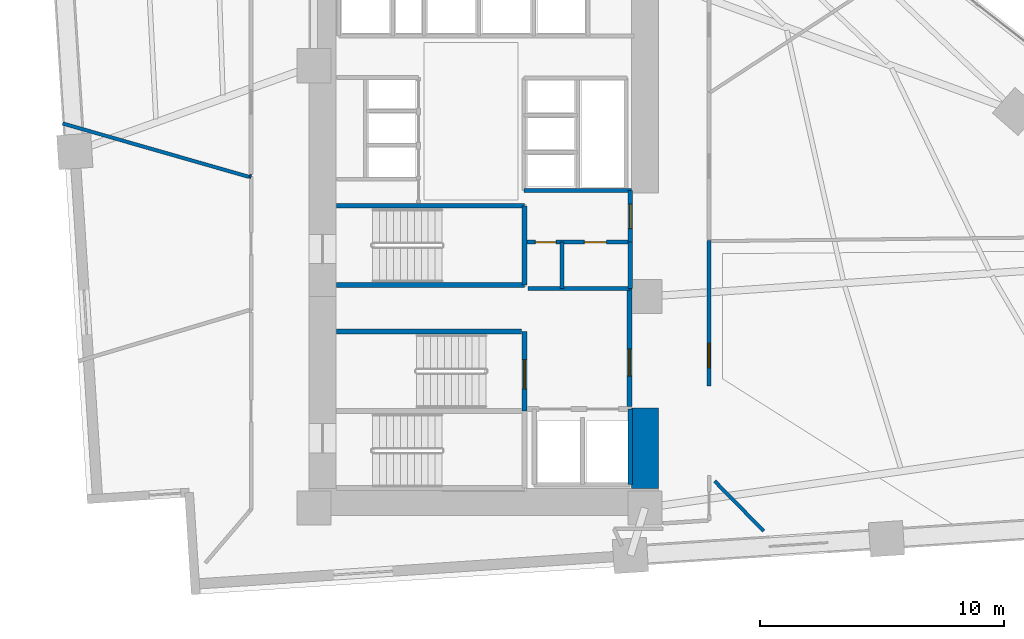
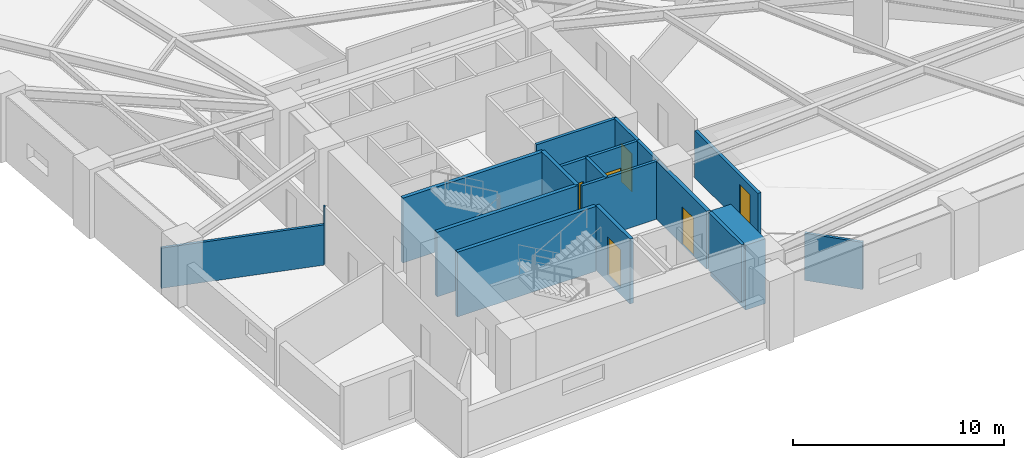
# One storey, part 13 of 17: 18 walls, 6 doors, 6 openings.
"""IFC4 building model written with IfcOpenShell, lengths in metres."""

from ifc_helpers import new_model, si_unit, direction, frame, frame_2d, origin, place, context, subcontext, project, spatial, rectangle, extrude, material, layer, layer_set, type_object, element, fill, save


model = new_model("IFC4")

# Units and contexts
model_context = context("Model", 3, precision=1e-05, world=origin(), true_north=direction((0.0, 1.0)))
body_context = subcontext(model_context, "Body", "Model", "MODEL_VIEW")
ifc_project = project(units=[si_unit("LENGTHUNIT", "METRE"), si_unit("AREAUNIT", "SQUARE_METRE"), si_unit("VOLUMEUNIT", "CUBIC_METRE"), si_unit("PLANEANGLEUNIT", "RADIAN"), si_unit("MASSUNIT", "GRAM", prefix="KILO")], contexts=[model_context])

# Site, building, storey
site_placement = place(None, origin())
site = spatial("IfcSite", under=ifc_project, at=site_placement, CompositionType="ELEMENT")
building_placement = place(site_placement, origin())
building = spatial("IfcBuilding", under=site, at=building_placement, Name="Narakoshi Arena Tower", CompositionType="ELEMENT")
storey_placement = place(building_placement, frame((0.0, 0.0, 63.300048828125)))
storey = spatial("IfcBuildingStorey", under=building, at=storey_placement, Name="L16", CompositionType="ELEMENT", Elevation=63.300048828125)

# Wall
ifc_material_1 = material(Name="Concrete C60/75", Category="concrete")
ifc_layer_1 = layer(ifc_material_1, 1.10009765625)
ifc_layer_set_1 = layer_set([ifc_layer_1], Name="Concrete C60/75")
wall_type_1 = type_object("IfcWallType", Name="WL-CORE-1100", PredefinedType="SHEAR", material=ifc_layer_set_1)
wall_1_placement = place(storey_placement, frame((85.550048828125, 35.5, -0.400146484375), z_axis=(0.0, 0.0, 1.0), x_axis=(0.0, 1.0, 0.0)))
element("IfcWall", 1, at=wall_1_placement, inside=storey, type_object=wall_type_1, Name="L16 Central Core Shear Wall CW-APX-E", PredefinedType="SHEAR", context=body_context, shape_type="SweptSolid", body=[
    extrude(rectangle(XDim=3.300048828125, YDim=1.10009765625, at=frame_2d((1.64990234375, 0.0))), origin(), (0.0, 0.0, 1.0), 3.739990234375),
])

# Wall, opening, door
ifc_material_2 = material(Name="Gypsum plasterboard fire-rated partition")
ifc_layer_2 = layer(ifc_material_2, 0.1650390625)
ifc_layer_set_2 = layer_set([ifc_layer_2], Name="Gypsum plasterboard fire-rated partition")
wall_type_2 = type_object("IfcWallType", Name="WL-CORR-165", PredefinedType="PARTITIONING", material=ifc_layer_set_2)
wall_2_placement = place(storey_placement, frame((84.949951171875, 45.580078125, 0.0), z_axis=(0.0, 0.0, 1.0), x_axis=(0.0, 1.0, 0.0)))
wall_2 = element("IfcWall", 2, at=wall_2_placement, inside=storey, type_object=wall_type_2, Name="L16 Core Wall CPAS-E", PredefinedType="PARTITIONING", context=body_context, shape_type="SweptSolid", body=[
    extrude(rectangle(XDim=2.119873046875, YDim=0.1650390625, at=frame_2d((1.06005859375, 0.0))), origin(), (0.0, 0.0, 1.0), 3.33984375),
])
opening_1_placement = place(wall_2_placement, frame((0.56005859375, 0.0, 0.0)))
opening_1 = element("IfcOpeningElement", 3, at=opening_1_placement, cuts=wall_2, Name="Opening D-06", PredefinedType="OPENING", context=body_context, shape_type="SweptSolid", body=[
    extrude(rectangle(XDim=1.0, YDim=2.199951171875, at=frame_2d((0.5, 1.10009765625))), frame((0.0, 0.092529296875, 0.0), z_axis=(0.0, -1.0, 0.0), x_axis=(1.0, 0.0, 0.0)), (0.0, 0.0, 1.0), 0.18505859375),
])
ifc_material_3 = material(Name="Stained oak solid-core timber", Category="wood")
door_type_1 = type_object("IfcDoorType", Name="DR-OFF-1000", OperationType="NOTDEFINED", PredefinedType="DOOR", material=ifc_material_3)
door_1_placement = place(opening_1_placement, frame((1.0, 0.0, 0.0), z_axis=(0.0, 0.0, 1.0), x_axis=(-1.0, 0.0, 0.0)))
door_1 = element("IfcDoor", 4, at=door_1_placement, inside=storey, type_object=door_type_1, Name="DR-L16-007", OperationType="SINGLE_SWING_LEFT", OverallHeight=2.199951171875, OverallWidth=1.0, PredefinedType="DOOR", context=body_context, shape_type="SweptSolid", body=[
    extrude(rectangle(XDim=1.0, YDim=2.199951171875, at=frame_2d((0.5, 1.10009765625))), frame((0.0, 0.02490234375, 0.0), z_axis=(0.0, -1.0, 0.0), x_axis=(1.0, 0.0, 0.0)), (0.0, 0.0, 1.0), 0.050048828125),
])
fill(opening_1, door_1)

wall_3_placement = place(storey_placement, frame((88.177978515625, 39.6845703125, 0.0), z_axis=(0.0, 0.0, 1.0), x_axis=(0.0, 1.0, 0.0)))
wall_3 = element("IfcWall", 5, at=wall_3_placement, inside=storey, type_object=wall_type_2, Name="L16 Corridor Partition 04-1", PredefinedType="PARTITIONING", context=body_context, shape_type="SweptSolid", body=[
    extrude(rectangle(XDim=5.97265625, YDim=0.1650390625, at=frame_2d((2.986328125, 0.0))), origin(), (0.0, 0.0, 1.0), 2.724853515625),
])
opening_2_placement = place(wall_3_placement, frame((0.748779296875, 0.0, 0.0)))
opening_2 = element("IfcOpeningElement", 6, at=opening_2_placement, cuts=wall_3, Name="Opening D-06", PredefinedType="OPENING", context=body_context, shape_type="SweptSolid", body=[
    extrude(rectangle(XDim=1.0, YDim=2.199951171875, at=frame_2d((0.5, 1.10009765625))), frame((0.0, 0.092529296875, 0.0), z_axis=(0.0, -1.0, 0.0), x_axis=(1.0, 0.0, 0.0)), (0.0, 0.0, 1.0), 0.18505859375),
])
door_2_placement = place(opening_2_placement, frame((1.0, 0.0, 0.0), z_axis=(0.0, 0.0, 1.0), x_axis=(-1.0, 0.0, 0.0)))
door_2 = element("IfcDoor", 7, at=door_2_placement, inside=storey, type_object=door_type_1, Name="DR-L16-017", OperationType="SINGLE_SWING_LEFT", OverallHeight=2.199951171875, OverallWidth=1.0, PredefinedType="DOOR", context=body_context, shape_type="SweptSolid", body=[
    extrude(rectangle(XDim=1.0, YDim=2.199951171875, at=frame_2d((0.5, 1.10009765625))), frame((0.0, 0.02490234375, 0.0), z_axis=(0.0, -1.0, 0.0), x_axis=(1.0, 0.0, 0.0)), (0.0, 0.0, 1.0), 0.050048828125),
])
fill(opening_2, door_2)

# Wall
ifc_material_4 = material(Name="Concrete C40/50", Category="concrete")
ifc_layer_3 = layer(ifc_material_4, 0.280029296875)
ifc_layer_set_3 = layer_set([ifc_layer_3], Name="Concrete C40/50")
wall_type_3 = type_object("IfcWallType", Name="WL-RISER-280", PredefinedType="PLUMBINGWALL", material=ifc_layer_set_3)
wall_4_placement = place(storey_placement, frame((84.949951171875, 43.679931640625, 0.0), z_axis=(0.0, 0.0, 1.0), x_axis=(0.0, 1.0, 0.0)))
element("IfcWall", 8, at=wall_4_placement, inside=storey, type_object=wall_type_3, Name="L16 Core Wall RSR-E", PredefinedType="PLUMBINGWALL", context=body_context, shape_type="SweptSolid", body=[
    extrude(rectangle(XDim=1.900146484375, YDim=0.1650390625, at=frame_2d((0.9501953125, 0.0))), origin(), (0.0, 0.0, 1.0), 3.33984375),
])

# Wall, openings, doors
wall_5_placement = place(storey_placement, frame((80.719970703125, 45.580078125, 0.0), z_axis=(0.0, 0.0, 1.0), x_axis=(1.0, 0.0, 0.0)))
wall_5 = element("IfcWall", 9, at=wall_5_placement, inside=storey, type_object=wall_type_3, Name="L16 Core Wall RSR-N", PredefinedType="PLUMBINGWALL", context=body_context, shape_type="SweptSolid", body=[
    extrude(rectangle(XDim=4.22998046875, YDim=0.159912109375, at=frame_2d((2.114990234375, 0.0))), origin(), (0.0, 0.0, 1.0), 3.33984375),
])
opening_3_placement = place(wall_5_placement, frame((0.35009765625, 0.0, 0.0)))
opening_3 = element("IfcOpeningElement", 10, at=opening_3_placement, cuts=wall_5, Name="Opening D-10", PredefinedType="OPENING", context=body_context, shape_type="SweptSolid", body=[
    extrude(rectangle(XDim=0.85009765625, YDim=2.050048828125, at=frame_2d((0.425048828125, 1.02490234375))), frame((0.0, 0.08984375, 0.0), z_axis=(0.0, -1.0, 0.0), x_axis=(1.0, 0.0, 0.0)), (0.0, 0.0, 1.0), 0.179931640625),
])
opening_4_placement = place(wall_5_placement, frame((2.35009765625, 0.0, 0.0)))
opening_4 = element("IfcOpeningElement", 11, at=opening_4_placement, cuts=wall_5, Name="Opening D-08", PredefinedType="OPENING", context=body_context, shape_type="SweptSolid", body=[
    extrude(rectangle(XDim=0.89990234375, YDim=2.10009765625, at=frame_2d((0.449951171875, 1.050048828125))), frame((0.0, 0.08984375, 0.0), z_axis=(0.0, -1.0, 0.0), x_axis=(1.0, 0.0, 0.0)), (0.0, 0.0, 1.0), 0.179931640625),
])
ifc_material_5 = material(Name="Painted galvanized steel", Category="steel")
door_type_2 = type_object("IfcDoorType", Name="DR-RSR-850", OperationType="NOTDEFINED", PredefinedType="DOOR", material=ifc_material_5)
door_3_placement = place(opening_3_placement, frame((0.85009765625, 0.0, 0.0), z_axis=(0.0, 0.0, 1.0), x_axis=(-1.0, 0.0, 0.0)))
door_3 = element("IfcDoor", 12, at=door_3_placement, inside=storey, type_object=door_type_2, Name="DR-L16-008", OperationType="SINGLE_SWING_LEFT", OverallHeight=2.050048828125, OverallWidth=0.85009765625, PredefinedType="DOOR", context=body_context, shape_type="SweptSolid", body=[
    extrude(rectangle(XDim=0.85009765625, YDim=2.050048828125, at=frame_2d((0.425048828125, 1.02490234375))), frame((0.0, 0.02490234375, 0.0), z_axis=(0.0, -1.0, 0.0), x_axis=(1.0, 0.0, 0.0)), (0.0, 0.0, 1.0), 0.050048828125),
])
fill(opening_3, door_3)
ifc_material_6 = material(Name="Moisture-resistant laminate timber", Category="wood")
door_type_3 = type_object("IfcDoorType", Name="DR-WC-900", OperationType="NOTDEFINED", PredefinedType="DOOR", material=ifc_material_6)
door_4_placement = place(opening_4_placement, frame((0.89990234375, 0.0, 0.0), z_axis=(0.0, 0.0, 1.0), x_axis=(-1.0, 0.0, 0.0)))
door_4 = element("IfcDoor", 13, at=door_4_placement, inside=storey, type_object=door_type_3, Name="DR-L16-009", OperationType="SINGLE_SWING_RIGHT", OverallHeight=2.10009765625, OverallWidth=0.89990234375, PredefinedType="DOOR", context=body_context, shape_type="SweptSolid", body=[
    extrude(rectangle(XDim=0.89990234375, YDim=2.10009765625, at=frame_2d((0.449951171875, 1.050048828125))), frame((0.0, 0.02490234375, 0.0), z_axis=(0.0, -1.0, 0.0), x_axis=(1.0, 0.0, 0.0)), (0.0, 0.0, 1.0), 0.050048828125),
])
fill(opening_4, door_4)

# Walls
wall_6_placement = place(storey_placement, frame((80.760009765625, 43.679931640625, 0.0), z_axis=(0.0, 0.0, 1.0), x_axis=(1.0, 0.0, 0.0)))
element("IfcWall", 14, at=wall_6_placement, inside=storey, type_object=wall_type_3, Name="L16 Core Wall RSR-S", PredefinedType="PLUMBINGWALL", context=body_context, shape_type="SweptSolid", body=[
    extrude(rectangle(XDim=4.18994140625, YDim=0.159912109375, at=frame_2d((2.094970703125, 0.0))), origin(), (0.0, 0.0, 1.0), 3.33984375),
])
wall_7_placement = place(storey_placement, frame((82.14990234375, 43.679931640625, 0.0), z_axis=(0.0, 0.0, 1.0), x_axis=(0.0, 1.0, 0.0)))
element("IfcWall", 15, at=wall_7_placement, inside=storey, type_object=wall_type_3, Name="L16 Core Wall RSR-M", PredefinedType="PLUMBINGWALL", context=body_context, shape_type="SweptSolid", body=[
    extrude(rectangle(XDim=1.900146484375, YDim=0.159912109375, at=frame_2d((0.9501953125, 0.0))), origin(), (0.0, 0.0, 1.0), 3.33984375),
])

# Wall, opening, door
ifc_material_7 = material(Name="Concrete C50/60", Category="concrete")
ifc_layer_4 = layer(ifc_material_7, 0.35009765625)
ifc_layer_set_4 = layer_set([ifc_layer_4], Name="Concrete C50/60")
wall_type_4 = type_object("IfcWallType", Name="WL-SHAFT-350", PredefinedType="SOLIDWALL", material=ifc_layer_set_4)
wall_8_placement = place(storey_placement, frame((80.6201171875, 38.675048828125, -0.400146484375), z_axis=(0.0, 0.0, 1.0), x_axis=(0.0, 1.0, 0.0)))
wall_8 = element("IfcWall", 16, at=wall_8_placement, inside=storey, type_object=wall_type_4, Name="L16 Core Wall ST2-E", PredefinedType="SOLIDWALL", context=body_context, shape_type="SweptSolid", body=[
    extrude(rectangle(XDim=3.244873046875, YDim=0.199951171875, at=frame_2d((1.62255859375, 0.0))), origin(), (0.0, 0.0, 1.0), 3.739990234375),
])
opening_5_placement = place(wall_8_placement, frame((0.89990234375, 0.0, 0.39990234375)))
opening_5 = element("IfcOpeningElement", 17, at=opening_5_placement, cuts=wall_8, Name="Opening D-03", PredefinedType="OPENING", context=body_context, shape_type="SweptSolid", body=[
    extrude(rectangle(XDim=1.199951171875, YDim=2.199951171875, at=frame_2d((0.60009765625, 1.10009765625))), frame((0.0, 0.10986328125, 0.0), z_axis=(0.0, -1.0, 0.0), x_axis=(1.0, 0.0, 0.0)), (0.0, 0.0, 1.0), 0.219970703125),
])
door_type_4 = type_object("IfcDoorType", Name="DR-STR-1200", OperationType="NOTDEFINED", PredefinedType="USERDEFINED", material=ifc_material_5)
door_5_placement = place(opening_5_placement, origin())
door_5 = element("IfcDoor", 18, at=door_5_placement, inside=storey, type_object=door_type_4, Name="DR-L16-002", ObjectType="EXITDOOR", OperationType="SINGLE_SWING_RIGHT", OverallHeight=2.199951171875, OverallWidth=1.199951171875, PredefinedType="USERDEFINED", context=body_context, shape_type="SweptSolid", body=[
    extrude(rectangle(XDim=1.199951171875, YDim=2.199951171875, at=frame_2d((0.60009765625, 1.10009765625))), frame((0.0, 0.02490234375, 0.0), z_axis=(0.0, -1.0, 0.0), x_axis=(1.0, 0.0, 0.0)), (0.0, 0.0, 1.0), 0.050048828125),
])
fill(opening_5, door_5)

# Wall
wall_9_placement = place(storey_placement, frame((84.949951171875, 35.64990234375, 0.0), z_axis=(0.0, 0.0, 1.0), x_axis=(0.0, 1.0, 0.0)))
element("IfcWall", 19, at=wall_9_placement, inside=storey, type_object=wall_type_4, Name="L16 Core Wall FF-E", PredefinedType="SOLIDWALL", context=body_context, shape_type="SweptSolid", body=[
    extrude(rectangle(XDim=3.10009765625, YDim=0.179931640625, at=frame_2d((1.550048828125, 0.0))), origin(), (0.0, 0.0, 1.0), 3.33984375),
])

# Wall, opening, door
wall_10_placement = place(storey_placement, frame((84.919921875, 38.85009765625, 0.0), z_axis=(0.0, 0.0, 1.0), x_axis=(0.0, 1.0, 0.0)))
wall_10 = element("IfcWall", 20, at=wall_10_placement, inside=storey, type_object=wall_type_4, Name="L16 Core Wall FFLOB-E", PredefinedType="SOLIDWALL", context=body_context, shape_type="SweptSolid", body=[
    extrude(rectangle(XDim=4.829833984375, YDim=0.199951171875, at=frame_2d((2.4150390625, 0.0))), origin(), (0.0, 0.0, 1.0), 3.33984375),
])
opening_6_placement = place(wall_10_placement, frame((1.25, 0.0, 0.0)))
opening_6 = element("IfcOpeningElement", 21, at=opening_6_placement, cuts=wall_10, Name="Opening D-04", PredefinedType="OPENING", context=body_context, shape_type="SweptSolid", body=[
    extrude(rectangle(XDim=1.10009765625, YDim=2.199951171875, at=frame_2d((0.550048828125, 1.10009765625))), frame((0.0, 0.10986328125, 0.0), z_axis=(0.0, -1.0, 0.0), x_axis=(1.0, 0.0, 0.0)), (0.0, 0.0, 1.0), 0.219970703125),
])
door_type_5 = type_object("IfcDoorType", Name="DR-FFL-1100", OperationType="NOTDEFINED", PredefinedType="DOOR", material=ifc_material_5)
door_6_placement = place(opening_6_placement, frame((1.10009765625, 0.0, 0.0), z_axis=(0.0, 0.0, 1.0), x_axis=(-1.0, 0.0, 0.0)))
door_6 = element("IfcDoor", 22, at=door_6_placement, inside=storey, type_object=door_type_5, Name="DR-L16-005", OperationType="SINGLE_SWING_RIGHT", OverallHeight=2.199951171875, OverallWidth=1.10009765625, PredefinedType="DOOR", context=body_context, shape_type="SweptSolid", body=[
    extrude(rectangle(XDim=1.10009765625, YDim=2.199951171875, at=frame_2d((0.550048828125, 1.10009765625))), frame((0.0, 0.02490234375, 0.0), z_axis=(0.0, -1.0, 0.0), x_axis=(1.0, 0.0, 0.0)), (0.0, 0.0, 1.0), 0.050048828125),
])
fill(opening_6, door_6)

# Walls
wall_11_placement = place(storey_placement, frame((72.919921875, 41.919921875, -0.400146484375), z_axis=(0.0, 0.0, 1.0), x_axis=(1.0, 0.0, 0.0)))
element("IfcWall", 23, at=wall_11_placement, inside=storey, type_object=wall_type_4, Name="L16 Core Wall ST2-N", PredefinedType="SOLIDWALL", context=body_context, shape_type="SweptSolid", body=[
    extrude(rectangle(XDim=7.580078125, YDim=0.199951171875, at=frame_2d((3.7900390625, 0.0))), origin(), (0.0, 0.0, 1.0), 3.739990234375),
])
for number, where, z_axis, x_axis, name in (
    (24, (72.919921875, 43.830078125, -0.400146484375), (0.0, 0.0, 1.0), (1.0, 0.0, 0.0), "L16 Core Wall ST3-S"),
    (25, (72.919921875, 47.070068359375, -0.400146484375), (0.0, 0.0, 1.0), (1.0, 0.0, 0.0), "L16 Core Wall ST3-N"),
):
    element("IfcWall", number, at=place(storey_placement, frame(where, z_axis=z_axis, x_axis=x_axis)), inside=storey, type_object=wall_type_4, Name=name, PredefinedType="SOLIDWALL", context=body_context, shape_type="SweptSolid", body=[
        extrude(rectangle(XDim=7.7001953125, YDim=0.199951171875, at=frame_2d((3.85009765625, 0.0))), origin(), (0.0, 0.0, 1.0), 3.739990234375),
    ])
wall_12_placement = place(storey_placement, frame((80.6201171875, 43.830078125, -0.400146484375), z_axis=(0.0, 0.0, 1.0), x_axis=(0.0, 1.0, 0.0)))
element("IfcWall", 26, at=wall_12_placement, inside=storey, type_object=wall_type_4, Name="L16 Core Wall ST3-E", PredefinedType="SOLIDWALL", context=body_context, shape_type="SweptSolid", body=[
    extrude(rectangle(XDim=3.239990234375, YDim=0.199951171875, at=frame_2d((1.6201171875, 0.0))), origin(), (0.0, 0.0, 1.0), 3.739990234375),
])
wall_13_placement = place(storey_placement, frame((80.60009765625, 47.699951171875, 0.0), z_axis=(0.0, 0.0, 1.0), x_axis=(1.0, 0.0, 0.0)))
element("IfcWall", 27, at=wall_13_placement, inside=storey, type_object=wall_type_4, Name="L16 Core Wall MR-S", PredefinedType="SOLIDWALL", context=body_context, shape_type="SweptSolid", body=[
    extrude(rectangle(XDim=4.39990234375, YDim=0.159912109375, at=frame_2d((2.199951171875, 0.0))), origin(), (0.0, 0.0, 1.0), 3.33984375),
])
ifc_material_8 = material(Name="Moisture-resistant cement-board partition")
ifc_layer_5 = layer(ifc_material_8, 0.14501953125)
ifc_layer_set_5 = layer_set([ifc_layer_5], Name="Moisture-resistant cement-board partition")
wall_type_5 = type_object("IfcWallType", Name="WL-WET-145", PredefinedType="PARTITIONING", material=ifc_layer_set_5)
wall_14_placement = place(storey_placement, frame((69.367431640625, 48.28173828125, 0.0), z_axis=(0.0, 0.0, 1.0), x_axis=(0.961818474576, -0.273688183822, 0.0)))
element("IfcWall", 28, at=wall_14_placement, inside=storey, type_object=wall_type_5, Name="L16 Corridor Partition 01-3", PredefinedType="PARTITIONING", context=body_context, shape_type="SweptSolid", body=[
    extrude(rectangle(XDim=0.0625, YDim=0.14501953125, at=frame_2d((0.03125, 0.0))), origin(), (0.0, 0.0, 1.0), 3.33984375),
])
wall_15_placement = place(storey_placement, frame((61.708984375, 50.441162109375, 0.0), z_axis=(0.0, 0.0, 1.0), x_axis=(0.961320661505, -0.275431635371, 0.0)))
element("IfcWall", 29, at=wall_15_placement, inside=storey, type_object=wall_type_5, Name="L16 Inter-Room Partition 01-09", PredefinedType="PARTITIONING", context=body_context, shape_type="SweptSolid", body=[
    extrude(rectangle(XDim=7.941162109375, YDim=0.14501953125, at=frame_2d((3.970703125, 0.0))), origin(), (0.0, 0.0, 1.0), 2.324951171875),
])
wall_16_placement = place(storey_placement, frame((88.41064453125, 35.79443359375, 0.0), z_axis=(0.0, 0.0, 1.0), x_axis=(0.700585335426, -0.713568628645, 0.0)))
element("IfcWall", 30, at=wall_16_placement, inside=storey, type_object=wall_type_5, Name="L16 Room Enclosure Partition 03-1", PredefinedType="PARTITIONING", context=body_context, shape_type="SweptSolid", body=[
    extrude(rectangle(XDim=2.858154296875, YDim=0.14501953125, at=frame_2d((1.42919921875, 0.0))), origin(), (0.0, 0.0, 1.0), 2.724853515625),
])

save(model, "model.ifc")
